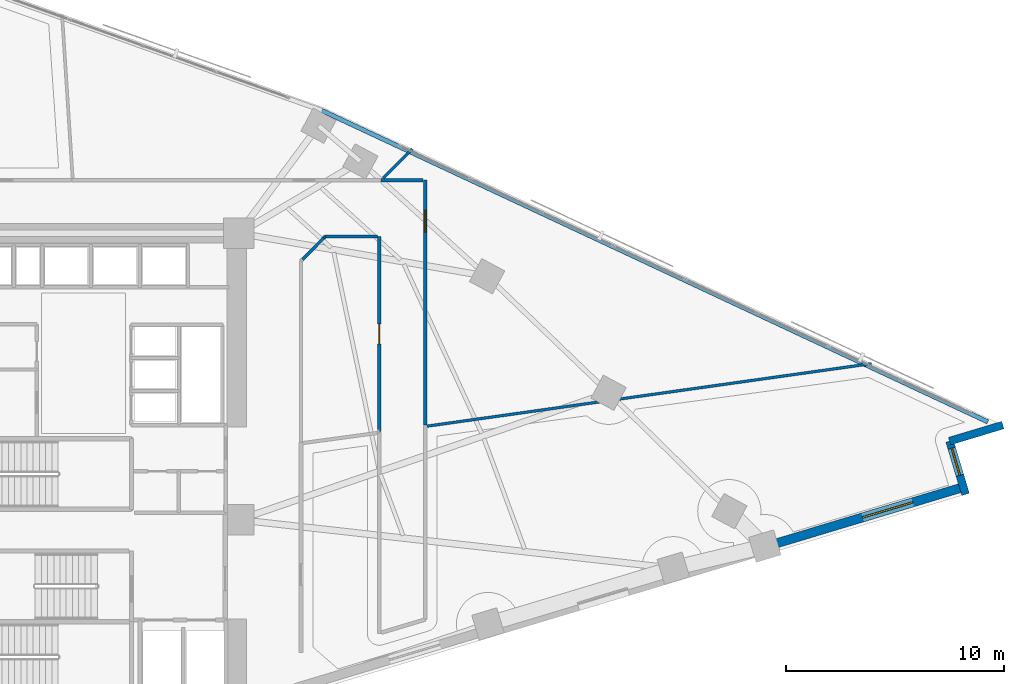
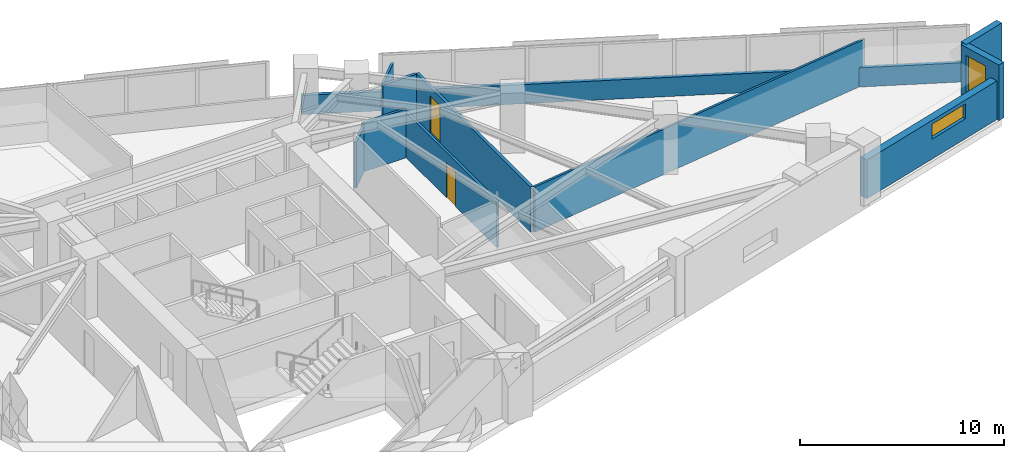
# One storey, part 13 of 16: 12 walls, 2 doors, 2 windows, 4 openings.
"""IFC4 building model written with IfcOpenShell, lengths in metres."""

from ifc_helpers import new_model, si_unit, direction, frame, frame_2d, origin, place, context, subcontext, project, spatial, rectangle, extrude, material, layer, layer_set, type_object, element, fill, save


model = new_model("IFC4")

# Units and contexts
model_context = context("Model", 3, precision=1e-05, world=origin(), true_north=direction((0.0, 1.0)))
body_context = subcontext(model_context, "Body", "Model", "MODEL_VIEW")
ifc_project = project(units=[si_unit("LENGTHUNIT", "METRE"), si_unit("AREAUNIT", "SQUARE_METRE"), si_unit("VOLUMEUNIT", "CUBIC_METRE"), si_unit("PLANEANGLEUNIT", "RADIAN"), si_unit("MASSUNIT", "GRAM", prefix="KILO")], contexts=[model_context])

# Site, building, storey
site_placement = place(None, origin())
site = spatial("IfcSite", under=ifc_project, at=site_placement, CompositionType="ELEMENT")
building_placement = place(site_placement, origin())
building = spatial("IfcBuilding", under=site, at=building_placement, Name="Narakoshi Arena Tower", CompositionType="ELEMENT")
storey_placement = place(building_placement, frame((0.0, 0.0, 132.300048828125)))
storey = spatial("IfcBuildingStorey", under=building, at=storey_placement, Name="L35", CompositionType="ELEMENT", Elevation=132.300048828125)

# Wall, opening, door
ifc_material_1 = material(Name="Gypsum plasterboard fire-rated partition")
ifc_layer_1 = layer(ifc_material_1, 0.1650390625)
ifc_layer_set_1 = layer_set([ifc_layer_1], Name="Gypsum plasterboard fire-rated partition")
wall_type_1 = type_object("IfcWallType", Name="WL-CORR-165", PredefinedType="PARTITIONING", material=ifc_layer_set_1)
wall_1_placement = place(storey_placement, frame((94.09619140625, 47.69384765625, 0.0), z_axis=(0.0, 0.0, 1.0), x_axis=(0.0, 1.0, 0.0)))
wall_1 = element("IfcWall", 1, at=wall_1_placement, inside=storey, type_object=wall_type_1, Name="L35 Corridor Partition 03-1", PredefinedType="PARTITIONING", context=body_context, shape_type="SweptSolid", body=[
    extrude(rectangle(XDim=11.2431640625, YDim=0.1650390625, at=frame_2d((5.62158203125, 0.0))), origin(), (0.0, 0.0, 1.0), 2.724853515625),
])
opening_1_placement = place(wall_1_placement, frame((8.862060546875, 0.0, 0.0)))
opening_1 = element("IfcOpeningElement", 2, at=opening_1_placement, cuts=wall_1, Name="Opening D-06", PredefinedType="OPENING", context=body_context, shape_type="SweptSolid", body=[
    extrude(rectangle(XDim=1.0, YDim=2.199951171875, at=frame_2d((0.5, 1.10009765625))), frame((0.0, 0.092529296875, 0.0), z_axis=(0.0, -1.0, 0.0), x_axis=(1.0, 0.0, 0.0)), (0.0, 0.0, 1.0), 0.18505859375),
])
ifc_material_2 = material(Name="Stained oak solid-core timber", Category="wood")
door_type_1 = type_object("IfcDoorType", Name="DR-OFF-1000", OperationType="NOTDEFINED", PredefinedType="DOOR", material=ifc_material_2)
door_1_placement = place(opening_1_placement, frame((1.0, 0.0, 0.0), z_axis=(0.0, 0.0, 1.0), x_axis=(-1.0, 0.0, 0.0)))
door_1 = element("IfcDoor", 3, at=door_1_placement, inside=storey, type_object=door_type_1, Name="DR-L35-017", OperationType="SINGLE_SWING_LEFT", OverallHeight=2.199951171875, OverallWidth=1.0, PredefinedType="DOOR", context=body_context, shape_type="SweptSolid", body=[
    extrude(rectangle(XDim=1.0, YDim=2.199951171875, at=frame_2d((0.5, 1.10009765625))), frame((0.0, 0.02490234375, 0.0), z_axis=(0.0, -1.0, 0.0), x_axis=(1.0, 0.0, 0.0)), (0.0, 0.0, 1.0), 0.050048828125),
])
fill(opening_1, door_1)

# Walls
wall_2_placement = place(storey_placement, frame((94.001708984375, 58.93701171875, 0.0), z_axis=(0.0, 0.0, 1.0), x_axis=(-1.0, 0.0, 0.0)))
element("IfcWall", 4, at=wall_2_placement, inside=storey, type_object=wall_type_1, Name="L35 Corridor Partition 03-2", PredefinedType="PARTITIONING", context=body_context, shape_type="SweptSolid", body=[
    extrude(rectangle(XDim=1.91748046875, YDim=0.1650390625, at=frame_2d((0.958740234375, 0.0))), origin(), (0.0, 0.0, 1.0), 2.724853515625),
])
ifc_material_3 = material(Name="Precast concrete C45/55", Category="concrete")
ifc_layer_2 = layer(ifc_material_3, 0.25)
ifc_layer_set_2 = layer_set([ifc_layer_2], Name="Precast concrete C45/55")
wall_type_2 = type_object("IfcWallType", Name="WL-PARA-250", PredefinedType="PARAPET", material=ifc_layer_set_2)
wall_3_placement = place(storey_placement, frame((119.92578125, 47.843017578125, 0.0), z_axis=(0.0, 0.0, 1.0), x_axis=(-0.905880730846, 0.423532881228, 0.0)))
element("IfcWall", 5, at=wall_3_placement, inside=storey, type_object=wall_type_2, Name="L35 Hypotenuse Sill Upstand Parapet 1-01", PredefinedType="PARAPET", context=body_context, shape_type="SweptSolid", body=[
    extrude(rectangle(XDim=33.74755859375, YDim=0.199951171875, at=frame_2d((16.873779296875, 0.0))), origin(), (0.0, 0.0, 1.0), 1.14990234375),
])
ifc_layer_3 = layer(ifc_material_1, 0.125)
ifc_layer_set_3 = layer_set([ifc_layer_3], Name="Gypsum plasterboard fire-rated partition")
wall_type_3 = type_object("IfcWallType", Name="WL-PART-125", PredefinedType="PARTITIONING", material=ifc_layer_set_3)
wall_4_placement = place(storey_placement, frame((94.190673828125, 47.647216796875, 0.0), z_axis=(0.0, 0.0, 1.0), x_axis=(0.99024252498, 0.139354733403, 0.0)))
element("IfcWall", 6, at=wall_4_placement, inside=storey, type_object=wall_type_3, Name="L35 Inter-Room Partition 02-03", PredefinedType="PARTITIONING", context=body_context, shape_type="SweptSolid", body=[
    extrude(rectangle(XDim=20.593994140625, YDim=0.125, at=frame_2d((10.296875, 0.0))), origin(), (0.0, 0.0, 1.0), 2.724853515625),
])
wall_5_placement = place(storey_placement, frame((92.1787109375, 59.031494140625, 0.0), z_axis=(0.0, 0.0, 1.0), x_axis=(0.707106781187, 0.707106781187, 0.0)))
element("IfcWall", 7, at=wall_5_placement, inside=storey, type_object=wall_type_3, Name="L35 Inter-Room Partition 03-05", PredefinedType="PARTITIONING", context=body_context, shape_type="SweptSolid", body=[
    extrude(rectangle(XDim=1.8896484375, YDim=0.125, at=frame_2d((0.94482421875, 0.0))), origin(), (0.0, 0.0, 1.0), 2.724853515625),
])

# Wall, opening, window
ifc_layer_4 = layer(ifc_material_3, 0.419921875)
ifc_layer_set_4 = layer_set([ifc_layer_4], Name="Precast concrete C45/55")
wall_type_4 = type_object("IfcWallType", Name="WL-POD-420", PredefinedType="SOLIDWALL", material=ifc_layer_set_4)
wall_6_placement = place(storey_placement, frame((109.701171875, 42.110595703125, 0.0), z_axis=(0.0, 0.0, 1.0), x_axis=(0.957575807765, 0.288181492091, 0.0)))
wall_6 = element("IfcWall", 8, at=wall_6_placement, inside=storey, type_object=wall_type_4, Name="L35 Architectural Concrete Facade Wall LEGA-4", PredefinedType="SOLIDWALL", context=body_context, shape_type="SweptSolid", body=[
    extrude(rectangle(XDim=9.510498046875, YDim=0.419921875, at=frame_2d((4.75537109375, 0.0))), origin(), (0.0, 0.0, 1.0), 2.324951171875),
])
opening_2_placement = place(wall_6_placement, frame((4.679443359375, 0.0, 1.199951171875)))
opening_2 = element("IfcOpeningElement", 9, at=opening_2_placement, cuts=wall_6, Name="Opening WN-01", PredefinedType="OPENING", context=body_context, shape_type="SweptSolid", body=[
    extrude(rectangle(XDim=2.39990234375, YDim=0.89990234375, at=frame_2d((1.199951171875, 0.449951171875))), frame((0.0, 0.219970703125, 0.0), z_axis=(0.0, -1.0, 0.0), x_axis=(1.0, 0.0, 0.0)), (0.0, 0.0, 1.0), 0.43994140625),
])
ifc_material_4 = material(Name="Bronze-tinted low-E laminated glass", Category="glass")
window_type_1 = type_object("IfcWindowType", Name="WIN-SLT-24x09", PartitioningType="SINGLE_PANEL", PredefinedType="WINDOW", material=ifc_material_4)
window_1_placement = place(opening_2_placement, origin())
window_1 = element("IfcWindow", 10, at=window_1_placement, inside=storey, type_object=window_type_1, Name="L35 LEGA4 Horizontal Slot Window 1", OverallHeight=0.89990234375, OverallWidth=2.39990234375, PartitioningType="SINGLE_PANEL", PredefinedType="WINDOW", context=body_context, shape_type="SweptSolid", body=[
    extrude(rectangle(XDim=2.39990234375, YDim=0.89990234375, at=frame_2d((1.199951171875, 0.449951171875))), frame((0.0, 0.030029296875, 0.0), z_axis=(0.0, -1.0, 0.0), x_axis=(1.0, 0.0, 0.0)), (0.0, 0.0, 1.0), 0.06005859375),
])
fill(opening_2, window_1)

wall_7_placement = place(storey_placement, frame((118.908935546875, 44.51611328125, 0.0), z_axis=(0.0, 0.0, 1.0), x_axis=(-0.288172590882, 0.95757848653, 0.0)))
wall_7 = element("IfcWall", 11, at=wall_7_placement, inside=storey, type_object=wall_type_4, Name="L35 Re-Entrant Corner Notch Wall NTE-1", PredefinedType="SOLIDWALL", context=body_context, shape_type="SweptSolid", body=[
    extrude(rectangle(XDim=2.552734375, YDim=0.360107421875, at=frame_2d((1.2763671875, 0.0))), origin(), (0.0, 0.0, 1.0), 3.33984375),
])
opening_3_placement = place(wall_7_placement, frame((0.91259765625, 0.0, 0.449951171875)))
opening_3 = element("IfcOpeningElement", 12, at=opening_3_placement, cuts=wall_7, Name="Opening WN-06", PredefinedType="OPENING", context=body_context, shape_type="SweptSolid", body=[
    extrude(rectangle(XDim=1.300048828125, YDim=2.39990234375, at=frame_2d((0.64990234375, 1.199951171875))), frame((0.0, 0.18994140625, 0.0), z_axis=(0.0, -1.0, 0.0), x_axis=(1.0, 0.0, 0.0)), (0.0, 0.0, 1.0), 0.380126953125),
])
window_type_2 = type_object("IfcWindowType", Name="WIN-NTC-16x24", PartitioningType="SINGLE_PANEL", PredefinedType="WINDOW", material=ifc_material_4)
window_2_placement = place(opening_3_placement, origin())
window_2 = element("IfcWindow", 13, at=window_2_placement, inside=storey, type_object=window_type_2, Name="L35 Corner Notch Window NTE", OverallHeight=2.39990234375, OverallWidth=1.300048828125, PartitioningType="SINGLE_PANEL", PredefinedType="WINDOW", context=body_context, shape_type="SweptSolid", body=[
    extrude(rectangle(XDim=1.300048828125, YDim=2.39990234375, at=frame_2d((0.64990234375, 1.199951171875))), frame((0.0, 0.030029296875, 0.0), z_axis=(0.0, -1.0, 0.0), x_axis=(1.0, 0.0, 0.0)), (0.0, 0.0, 1.0), 0.06005859375),
])
fill(opening_3, window_2)

# Wall
wall_8_placement = place(storey_placement, frame((118.17333984375, 46.96044921875, 0.0), z_axis=(0.0, 0.0, 1.0), x_axis=(0.95757848653, 0.288172590882, 0.0)))
element("IfcWall", 14, at=wall_8_placement, inside=storey, type_object=wall_type_4, Name="L35 Re-Entrant Corner Notch Wall NTE-2", PredefinedType="SOLIDWALL", context=body_context, shape_type="SweptSolid", body=[
    extrude(rectangle(XDim=2.552734375, YDim=0.360107421875, at=frame_2d((1.2763671875, 0.0))), origin(), (0.0, 0.0, 1.0), 3.33984375),
])

# Wall, opening, door
ifc_material_5 = material(Name="Moisture-resistant cement-board partition")
ifc_layer_5 = layer(ifc_material_5, 0.14501953125)
ifc_layer_set_5 = layer_set([ifc_layer_5], Name="Moisture-resistant cement-board partition")
wall_type_5 = type_object("IfcWallType", Name="WL-WET-145", PredefinedType="PARTITIONING", material=ifc_layer_set_5)
wall_9_placement = place(storey_placement, frame((91.996337890625, 56.35009765625, 0.0), z_axis=(0.0, 0.0, 1.0), x_axis=(0.0, -1.0, 0.0)))
wall_9 = element("IfcWall", 15, at=wall_9_placement, inside=storey, type_object=wall_type_5, Name="L35 Corridor Partition 04-1", PredefinedType="PARTITIONING", context=body_context, shape_type="SweptSolid", body=[
    extrude(rectangle(XDim=8.942138671875, YDim=0.14501953125, at=frame_2d((4.47119140625, 0.0))), origin(), (0.0, 0.0, 1.0), 2.724853515625),
])
opening_4_placement = place(wall_9_placement, frame((4.02099609375, 0.0, 0.0)))
opening_4 = element("IfcOpeningElement", 16, at=opening_4_placement, cuts=wall_9, Name="Opening D-08", PredefinedType="OPENING", context=body_context, shape_type="SweptSolid", body=[
    extrude(rectangle(XDim=0.89990234375, YDim=2.10009765625, at=frame_2d((0.449951171875, 1.050048828125))), frame((0.0, 0.08251953125, 0.0), z_axis=(0.0, -1.0, 0.0), x_axis=(1.0, 0.0, 0.0)), (0.0, 0.0, 1.0), 0.1650390625),
])
ifc_material_6 = material(Name="Moisture-resistant laminate timber", Category="wood")
door_type_2 = type_object("IfcDoorType", Name="DR-WC-900", OperationType="NOTDEFINED", PredefinedType="DOOR", material=ifc_material_6)
door_2_placement = place(opening_4_placement, frame((0.89990234375, 0.0, 0.0), z_axis=(0.0, 0.0, 1.0), x_axis=(-1.0, 0.0, 0.0)))
door_2 = element("IfcDoor", 17, at=door_2_placement, inside=storey, type_object=door_type_2, Name="DR-L35-018", OperationType="SINGLE_SWING_LEFT", OverallHeight=2.10009765625, OverallWidth=0.89990234375, PredefinedType="DOOR", context=body_context, shape_type="SweptSolid", body=[
    extrude(rectangle(XDim=0.89990234375, YDim=2.10009765625, at=frame_2d((0.449951171875, 1.050048828125))), frame((0.0, 0.02490234375, 0.0), z_axis=(0.0, -1.0, 0.0), x_axis=(1.0, 0.0, 0.0)), (0.0, 0.0, 1.0), 0.050048828125),
])
fill(opening_4, door_2)

# Walls
wall_10_placement = place(storey_placement, frame((89.5107421875, 56.35009765625, 0.0), z_axis=(0.0, 0.0, 1.0), x_axis=(1.0, 0.0, 0.0)))
element("IfcWall", 18, at=wall_10_placement, inside=storey, type_object=wall_type_5, Name="L35 Corridor Partition 04-3", PredefinedType="PARTITIONING", context=body_context, shape_type="SweptSolid", body=[
    extrude(rectangle(XDim=2.401123046875, YDim=0.14501953125, at=frame_2d((1.20068359375, 0.0))), origin(), (0.0, 0.0, 1.0), 2.925048828125),
])
wall_11_placement = place(storey_placement, frame((89.451171875, 56.2900390625, 0.0), z_axis=(0.0, 0.0, 1.0), x_axis=(0.704214765071, 0.709987017244, 0.0)))
element("IfcWall", 19, at=wall_11_placement, inside=storey, type_object=wall_type_5, Name="L35 Corridor Partition 04-5", PredefinedType="PARTITIONING", context=body_context, shape_type="SweptSolid", body=[
    extrude(rectangle(XDim=0.08447265625, YDim=0.14501953125, at=frame_2d((0.042236328125, 0.0))), origin(), (0.0, 0.0, 1.0), 2.925048828125),
])
wall_12_placement = place(storey_placement, frame((88.4599609375, 55.293701171875, 0.0), z_axis=(0.0, 0.0, 1.0), x_axis=(0.705280427547, 0.708928429758, 0.0)))
element("IfcWall", 20, at=wall_12_placement, inside=storey, type_object=wall_type_5, Name="L35 Room Enclosure Partition 04-1", PredefinedType="PARTITIONING", context=body_context, shape_type="SweptSolid", body=[
    extrude(rectangle(XDim=1.405517578125, YDim=0.14501953125, at=frame_2d((0.70263671875, 0.0))), origin(), (0.0, 0.0, 1.0), 2.724853515625),
])

save(model, "model.ifc")
